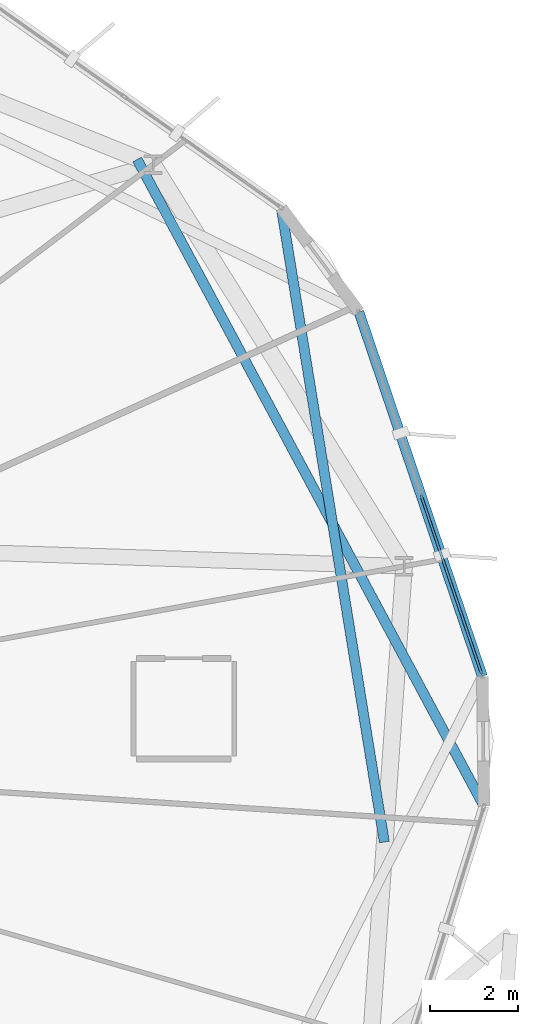
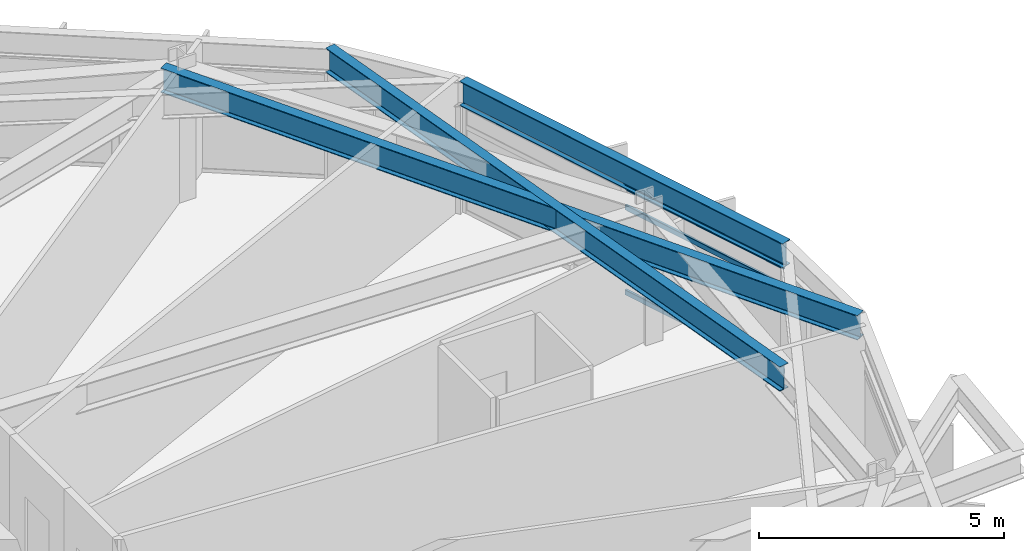
# One storey, part 13 of 27: 3 beams, 3 members, 1 element without a shape of its own.
"""IFC4 building model written with IfcOpenShell, lengths in metres."""

from ifc_helpers import new_model, si_unit, direction, frame, origin, origin_2d, place, context, subcontext, project, spatial, hollow_rectangle, i_section, extrude, material, layer, layer_set, material_profile, profile_set, type_object, element, aggregate, save


model = new_model("IFC4")

# Units and contexts
model_context = context("Model", 3, precision=1e-05, world=origin(), true_north=direction((0.0, 1.0)))
body_context = subcontext(model_context, "Body", "Model", "MODEL_VIEW")
ifc_project = project(units=[si_unit("LENGTHUNIT", "METRE"), si_unit("AREAUNIT", "SQUARE_METRE"), si_unit("VOLUMEUNIT", "CUBIC_METRE"), si_unit("PLANEANGLEUNIT", "RADIAN"), si_unit("MASSUNIT", "GRAM", prefix="KILO")], contexts=[model_context])

# Site, building, storey
site_placement = place(None, origin())
site = spatial("IfcSite", under=ifc_project, at=site_placement, CompositionType="ELEMENT")
building_placement = place(site_placement, origin())
building = spatial("IfcBuilding", under=site, at=building_placement, Name="Soratama Intermodal Tower", CompositionType="ELEMENT")
storey_placement = place(building_placement, frame((0.0, 0.0, 167.800048828125)))
storey = spatial("IfcBuildingStorey", under=building, at=storey_placement, Name="L41", CompositionType="ELEMENT", Elevation=167.800048828125)

# Beams
ifc_material_1 = material(Name="Structural steel ASTM A992 Grade 50", Category="steel")
ifc_material_profile_1 = material_profile(ifc_material_1, i_section(OverallWidth=0.22900390625, OverallDepth=0.612060546875, WebThickness=0.011962890625, FlangeThickness=0.01953125, FilletRadius=0.012939453125, at=origin_2d()), Name="W24X84")
ifc_profile_set_1 = profile_set([ifc_material_profile_1], Name="Structural steel ASTM A992 Grade 50")
beam_type_1 = type_object("IfcBeamType", Name="BM-SPN-W24X84", PredefinedType="SPANDREL", material=ifc_profile_set_1)
beam_1_placement = place(storey_placement, frame((63.77001953125, 26.718994140625, 2.993896484375), z_axis=(-0.320872525335, 0.947122390446, 0.0), x_axis=(-0.947122390446, -0.320872525335, 0.0)))
element("IfcBeam", 1, at=beam_1_placement, inside=storey, type_object=beam_type_1, Name="BS-L41-F10", PredefinedType="SPANDREL", context=body_context, shape_type="SweptSolid", body=[
    extrude(i_section(OverallWidth=0.22900390625, OverallDepth=0.612060546875, WebThickness=0.011962890625, FlangeThickness=0.01953125, FilletRadius=0.012939453125, at=origin_2d()), origin(), (0.0, 0.0, 1.0), 8.791748046875),
])
ifc_material_2 = material(Name="Structural steel ASTM A992 Grade 50", Category="steel")
ifc_material_profile_2 = material_profile(ifc_material_2, i_section(OverallWidth=0.22900390625, OverallDepth=0.612060546875, WebThickness=0.011962890625, FlangeThickness=0.01953125, FilletRadius=0.012939453125, at=origin_2d()), Name="W24X84")
ifc_profile_set_2 = profile_set([ifc_material_profile_2], Name="Structural steel ASTM A992 Grade 50")
beam_type_2 = type_object("IfcBeamType", Name="BM-TIE-W24X84", PredefinedType="BEAM", material=ifc_profile_set_2)
beam_2_placement = place(storey_placement, frame((61.530029296875, 22.93408203125, 2.993896484375), z_axis=(-0.160419765994, 0.987048883632, 0.0), x_axis=(-0.987048883632, -0.160419765994, 0.0)))
element("IfcBeam", 2, at=beam_2_placement, inside=storey, type_object=beam_type_2, Name="BM-L41-TIE0-01", PredefinedType="BEAM", context=body_context, shape_type="SweptSolid", body=[
    extrude(i_section(OverallWidth=0.22900390625, OverallDepth=0.612060546875, WebThickness=0.011962890625, FlangeThickness=0.01953125, FilletRadius=0.012939453125, at=origin_2d()), origin(), (0.0, 0.0, 1.0), 14.68017578125),
])
beam_3_placement = place(storey_placement, frame((55.884033203125, 38.52490234375, 2.993896484375), z_axis=(0.472652204315, -0.881249053195, 0.0), x_axis=(0.881249053195, 0.472652204315, 0.0)))
element("IfcBeam", 3, at=beam_3_placement, inside=storey, type_object=beam_type_2, Name="BM-L41-TIE1-09", PredefinedType="BEAM", context=body_context, shape_type="SweptSolid", body=[
    extrude(i_section(OverallWidth=0.22900390625, OverallDepth=0.612060546875, WebThickness=0.011962890625, FlangeThickness=0.01953125, FilletRadius=0.012939453125, at=origin_2d()), origin(), (0.0, 0.0, 1.0), 16.762451171875),
])

# Curtain wall, members
ifc_material_3 = material(Name="Double-glazed aluminium curtain wall", Category="aluminium")
ifc_layer = layer(ifc_material_3, 0.159912109375)
ifc_layer_set = layer_set([ifc_layer], Name="Double-glazed aluminium curtain wall")
curtain_wall_type = type_object("IfcCurtainWallType", Name="CW-SYS-4", PredefinedType="NOTDEFINED", material=ifc_layer_set)
curtain_wall_placement = place(storey_placement, origin())
curtain_wall = element("IfcCurtainWall", 4, at=curtain_wall_placement, inside=storey, type_object=curtain_wall_type, Name="L41 Faceted Curtain Wall F10", PredefinedType="NOTDEFINED")
ifc_material_4 = material(Name="Anodised aluminium AA 6063-T6", Category="aluminium")
ifc_material_profile_3 = material_profile(ifc_material_4, hollow_rectangle(XDim=0.06005859375, YDim=0.1298828125, WallThickness=0.0048828125, InnerFilletRadius=0.0048828125, OuterFilletRadius=0.010009765625, at=origin_2d()), Name="CWT130X60X5")
ifc_profile_set_3 = profile_set([ifc_material_profile_3], Name="Anodised aluminium AA 6063-T6")
member_type = type_object("IfcMemberType", Name="TT-CWT-2", PredefinedType="USERDEFINED", material=ifc_profile_set_3)
member_1_placement = place(storey_placement, frame((63.7509765625, 26.776123046875, 0.030029296875), z_axis=(-0.32091860423, 0.947106778278, 0.0), x_axis=(-0.947106778278, -0.32091860423, 0.0)))
member_1 = element("IfcMember", 5, at=member_1_placement, type_object=member_type, Name="CW-4 transom 1.1", ObjectType="TRANSOM", PredefinedType="USERDEFINED", context=body_context, shape_type="SweptSolid", body=[
    extrude(hollow_rectangle(XDim=0.06005859375, YDim=0.1298828125, WallThickness=0.0048828125, InnerFilletRadius=0.0048828125, OuterFilletRadius=0.010009765625, at=origin_2d()), origin(), (0.0, 0.0, 1.0), 4.305908203125),
])
member_2_placement = place(storey_placement, frame((63.7509765625, 26.776123046875, 2.14990234375), z_axis=(-0.32091860423, 0.947106778278, 0.0), x_axis=(-0.947106778278, -0.32091860423, 0.0)))
member_2 = element("IfcMember", 6, at=member_2_placement, type_object=member_type, Name="CW-4 transom 1.2", ObjectType="TRANSOM", PredefinedType="USERDEFINED", context=body_context, shape_type="SweptSolid", body=[
    extrude(hollow_rectangle(XDim=0.06005859375, YDim=0.1298828125, WallThickness=0.0048828125, InnerFilletRadius=0.0048828125, OuterFilletRadius=0.010009765625, at=origin_2d()), origin(), (0.0, 0.0, 1.0), 4.305908203125),
])
member_3_placement = place(storey_placement, frame((63.7509765625, 26.776123046875, 2.64892578125), z_axis=(-0.32091860423, 0.947106778278, 0.0), x_axis=(-0.947106778278, -0.32091860423, 0.0)))
member_3 = element("IfcMember", 7, at=member_3_placement, type_object=member_type, Name="CW-4 transom 1.3", ObjectType="TRANSOM", PredefinedType="USERDEFINED", context=body_context, shape_type="SweptSolid", body=[
    extrude(hollow_rectangle(XDim=0.06005859375, YDim=0.1298828125, WallThickness=0.0048828125, InnerFilletRadius=0.0048828125, OuterFilletRadius=0.010009765625, at=origin_2d()), origin(), (0.0, 0.0, 1.0), 4.305908203125),
])
aggregate(curtain_wall, [member_1, member_2, member_3])

save(model, "model.ifc")
